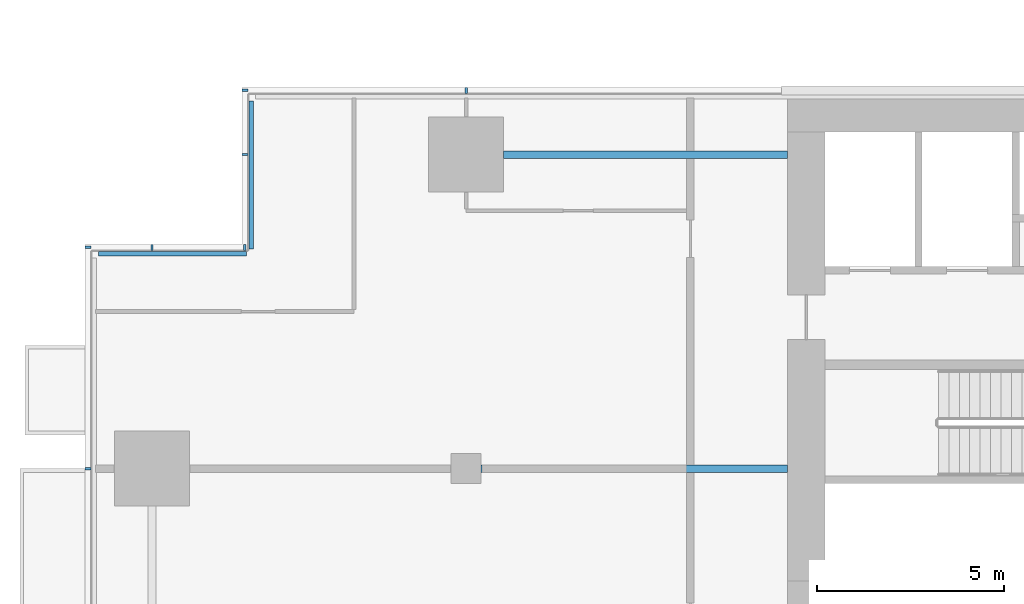
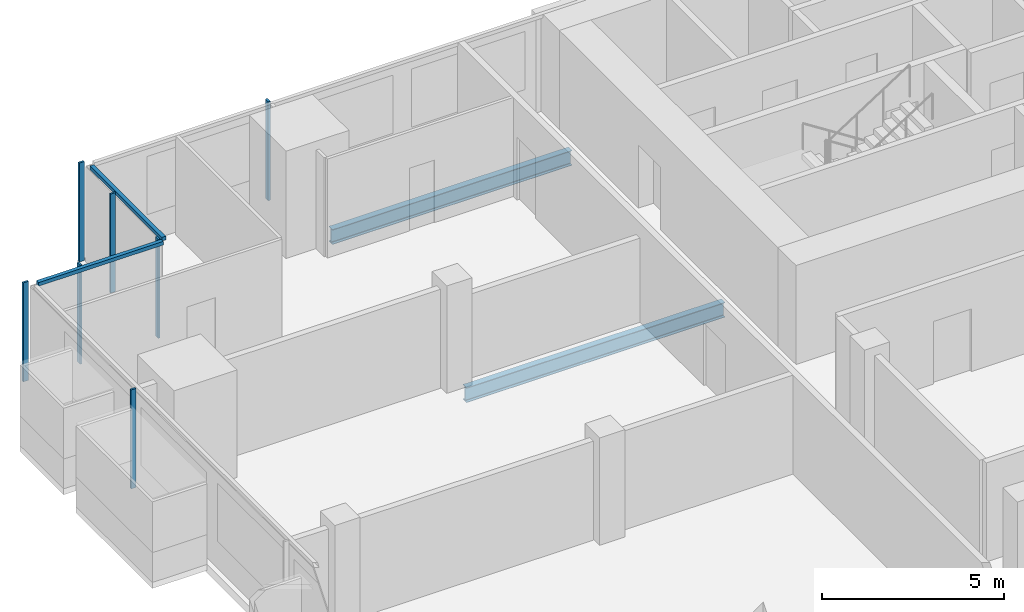
# One storey, part 8 of 26: 9 members, 2 beams, 4 elements without a shape of their own.
"""IFC4 building model written with IfcOpenShell, lengths in metres."""

from ifc_helpers import new_model, si_unit, direction, frame, origin, origin_2d, place, context, subcontext, project, spatial, rectangle, i_section, extrude, material, material_profile, profile_set, type_object, element, aggregate, save


model = new_model("IFC4")

# Units and contexts
model_context = context("Model", 3, precision=1e-05, world=origin(), true_north=direction((0.0, 1.0)))
body_context = subcontext(model_context, "Body", "Model", "MODEL_VIEW")
ifc_project = project(units=[si_unit("LENGTHUNIT", "METRE"), si_unit("AREAUNIT", "SQUARE_METRE"), si_unit("VOLUMEUNIT", "CUBIC_METRE"), si_unit("PLANEANGLEUNIT", "RADIAN"), si_unit("MASSUNIT", "GRAM", prefix="KILO")], contexts=[model_context])

# Site, building, storey
site_placement = place(None, origin())
site = spatial("IfcSite", under=ifc_project, at=site_placement, CompositionType="ELEMENT")
building_placement = place(site_placement, origin())
building = spatial("IfcBuilding", under=site, at=building_placement, Name="Saffron Gate Tower", CompositionType="ELEMENT")
storey_placement = place(building_placement, frame((0.0, 0.0, 98.85009765625)))
storey = spatial("IfcBuildingStorey", under=building, at=storey_placement, Name="L22", CompositionType="ELEMENT", Elevation=98.85009765625)

# Beams
ifc_material_1 = material(Name="Structural steel S355", Category="steel")
ifc_material_profile_1 = material_profile(ifc_material_1, i_section(OverallWidth=0.199951171875, OverallDepth=0.5, WebThickness=0.01025390625, FlangeThickness=0.01611328125, FilletRadius=0.02099609375, at=origin_2d()))
ifc_profile_set_1 = profile_set([ifc_material_profile_1], Name="Structural steel S355")
beam_type = type_object("IfcBeamType", Name="B10 IPE 500", PredefinedType="BEAM", material=ifc_profile_set_1)
beam_1_placement = place(storey_placement, frame((58.60009765625, 65.39990234375, -0.530029296875), z_axis=(1.0, 0.0, 0.0), x_axis=(0.0, 1.0, 0.0)))
element("IfcBeam", 1, at=beam_1_placement, inside=storey, type_object=beam_type, Name="B10 CORE TIE BEAM", PredefinedType="BEAM", context=body_context, shape_type="SweptSolid", body=[
    extrude(i_section(OverallWidth=0.199951171875, OverallDepth=0.5, WebThickness=0.01025390625, FlangeThickness=0.01611328125, FilletRadius=0.02099609375, at=origin_2d()), origin(), (0.0, 0.0, 1.0), 8.199951171875),
])
beam_2_placement = place(storey_placement, frame((59.199951171875, 73.800048828125, -0.530029296875), z_axis=(1.0, 0.0, 0.0), x_axis=(0.0, 1.0, 0.0)))
element("IfcBeam", 2, at=beam_2_placement, inside=storey, type_object=beam_type, Name="B10 CORE TIE BEAM", PredefinedType="BEAM", context=body_context, shape_type="SweptSolid", body=[
    extrude(i_section(OverallWidth=0.199951171875, OverallDepth=0.5, WebThickness=0.01025390625, FlangeThickness=0.01611328125, FilletRadius=0.02099609375, at=origin_2d()), origin(), (0.0, 0.0, 1.0), 7.60009765625),
])

# Curtain wall, members
ifc_material_2 = material(Name="Aluminium, bronze anodised", Category="aluminium")
curtain_wall_type_1 = type_object("IfcCurtainWallType", Name="CWS2 curtain wall side facades", PredefinedType="NOTDEFINED", material=ifc_material_2)
curtain_wall_1_placement = place(storey_placement, origin())
curtain_wall_1 = element("IfcCurtainWall", 3, at=curtain_wall_1_placement, inside=storey, type_object=curtain_wall_type_1, Name="CWS2 run 10", PredefinedType="NOTDEFINED")
ifc_material_profile_2 = material_profile(ifc_material_2, rectangle(XDim=0.159912109375, YDim=0.06005859375, at=origin_2d()))
ifc_profile_set_2 = profile_set([ifc_material_profile_2], Name="Aluminium, bronze anodised")
member_type_1 = type_object("IfcMemberType", Name="CWS2 mullion 60x160", PredefinedType="MULLION", material=ifc_profile_set_2)
member_1_placement = place(storey_placement, frame((48.080078125, 71.320068359375, 0.0), z_axis=(0.0, 0.0, 1.0), x_axis=(1.0, 0.0, 0.0)))
member_1 = element("IfcMember", 4, at=member_1_placement, type_object=member_type_1, Name="CWS2 mullion 1", PredefinedType="MULLION", context=body_context, shape_type="SweptSolid", body=[
    extrude(rectangle(XDim=0.159912109375, YDim=0.06005859375, at=origin_2d()), origin(), (0.0, 0.0, 1.0), 3.31982421875),
])
member_2_placement = place(storey_placement, frame((48.080078125, 65.39990234375, 0.0), z_axis=(0.0, 0.0, 1.0), x_axis=(1.0, 0.0, 0.0)))
member_2 = element("IfcMember", 5, at=member_2_placement, type_object=member_type_1, Name="CWS2 mullion 2", PredefinedType="MULLION", context=body_context, shape_type="SweptSolid", body=[
    extrude(rectangle(XDim=0.159912109375, YDim=0.06005859375, at=origin_2d()), origin(), (0.0, 0.0, 1.0), 3.31982421875),
])
aggregate(curtain_wall_1, [member_1, member_2])

# Curtain wall, member
curtain_wall_type_2 = type_object("IfcCurtainWallType", Name="CWS3 curtain wall rear facade", PredefinedType="NOTDEFINED", material=ifc_material_2)
curtain_wall_2_placement = place(storey_placement, origin())
curtain_wall_2 = element("IfcCurtainWall", 6, at=curtain_wall_2_placement, inside=storey, type_object=curtain_wall_type_2, Name="CWS3 run 7", PredefinedType="NOTDEFINED")
ifc_material_profile_3 = material_profile(ifc_material_2, rectangle(XDim=0.159912109375, YDim=0.070068359375, at=origin_2d()))
ifc_profile_set_3 = profile_set([ifc_material_profile_3], Name="Aluminium, bronze anodised")
member_type_2 = type_object("IfcMemberType", Name="CWS3 mullion 70x160", PredefinedType="MULLION", material=ifc_profile_set_3)
member_3_placement = place(storey_placement, frame((58.199951171875, 75.52001953125, 0.0), z_axis=(0.0, 0.0, 1.0), x_axis=(0.0, -1.0, 0.0)))
member_3 = element("IfcMember", 7, at=member_3_placement, type_object=member_type_2, Name="CWS3 mullion 9", PredefinedType="MULLION", context=body_context, shape_type="SweptSolid", body=[
    extrude(rectangle(XDim=0.159912109375, YDim=0.070068359375, at=origin_2d()), origin(), (0.0, 0.0, 1.0), 3.31982421875),
])
aggregate(curtain_wall_2, [member_3])

curtain_wall_type_3 = type_object("IfcCurtainWallType", Name="CWS4 curtain wall corner returns", PredefinedType="NOTDEFINED", material=ifc_material_2)
curtain_wall_3_placement = place(storey_placement, origin())
curtain_wall_3 = element("IfcCurtainWall", 8, at=curtain_wall_3_placement, inside=storey, type_object=curtain_wall_type_3, Name="CWS4 run 8", PredefinedType="NOTDEFINED")
ifc_material_profile_4 = material_profile(ifc_material_2, rectangle(XDim=0.1201171875, YDim=0.1201171875, at=origin_2d()))
ifc_profile_set_4 = profile_set([ifc_material_profile_4], Name="Aluminium, bronze anodised")
member_type_3 = type_object("IfcMemberType", Name="CWS4 head transom", PredefinedType="USERDEFINED", material=ifc_profile_set_4)
member_4_placement = place(storey_placement, frame((52.447998046875, 75.23193359375, 3.260009765625), z_axis=(0.0, -1.0, 0.0), x_axis=(1.0, 0.0, 0.0)))
member_4 = element("IfcMember", 9, at=member_4_placement, type_object=member_type_3, Name="CWS4 head transom", ObjectType="TRANSOM", PredefinedType="USERDEFINED", context=body_context, shape_type="SweptSolid", body=[
    extrude(rectangle(XDim=0.1201171875, YDim=0.1201171875, at=origin_2d()), origin(), (0.0, 0.0, 1.0), 3.9599609375),
])

curtain_wall_4_placement = place(storey_placement, origin())
curtain_wall_4 = element("IfcCurtainWall", 10, at=curtain_wall_4_placement, inside=storey, type_object=curtain_wall_type_3, Name="CWS4 run 9", PredefinedType="NOTDEFINED")
member_5_placement = place(storey_placement, frame((52.327880859375, 71.152099609375, 3.260009765625), z_axis=(-1.0, 0.0, 0.0), x_axis=(0.0, -1.0, 0.0)))
member_5 = element("IfcMember", 11, at=member_5_placement, type_object=member_type_3, Name="CWS4 head transom", ObjectType="TRANSOM", PredefinedType="USERDEFINED", context=body_context, shape_type="SweptSolid", body=[
    extrude(rectangle(XDim=0.1201171875, YDim=0.1201171875, at=origin_2d()), origin(), (0.0, 0.0, 1.0), 3.9599609375),
])

# Member
ifc_material_profile_5 = material_profile(ifc_material_2, rectangle(XDim=0.159912109375, YDim=0.06005859375, at=origin_2d()))
ifc_profile_set_5 = profile_set([ifc_material_profile_5], Name="Aluminium, bronze anodised")
member_type_4 = type_object("IfcMemberType", Name="CWS4 mullion 60x160", PredefinedType="MULLION", material=ifc_profile_set_5)
member_6_placement = place(storey_placement, frame((52.280029296875, 75.52001953125, 0.0), z_axis=(0.0, 0.0, 1.0), x_axis=(1.0, 0.0, 0.0)))
member_6 = element("IfcMember", 12, at=member_6_placement, type_object=member_type_4, Name="CWS4 mullion 1", PredefinedType="MULLION", context=body_context, shape_type="SweptSolid", body=[
    extrude(rectangle(XDim=0.159912109375, YDim=0.06005859375, at=origin_2d()), origin(), (0.0, 0.0, 1.0), 3.31982421875),
])

member_7_placement = place(storey_placement, frame((52.280029296875, 73.800048828125, 0.0), z_axis=(0.0, 0.0, 1.0), x_axis=(1.0, 0.0, 0.0)))
member_7 = element("IfcMember", 13, at=member_7_placement, type_object=member_type_4, Name="CWS4 mullion 2", PredefinedType="MULLION", context=body_context, shape_type="SweptSolid", body=[
    extrude(rectangle(XDim=0.159912109375, YDim=0.06005859375, at=origin_2d()), origin(), (0.0, 0.0, 1.0), 3.31982421875),
])

aggregate(curtain_wall_3, [member_6, member_7, member_4])

member_8_placement = place(storey_placement, frame((52.280029296875, 71.320068359375, 0.0), z_axis=(0.0, 0.0, 1.0), x_axis=(0.0, -1.0, 0.0)))
member_8 = element("IfcMember", 14, at=member_8_placement, type_object=member_type_4, Name="CWS4 mullion 1", PredefinedType="MULLION", context=body_context, shape_type="SweptSolid", body=[
    extrude(rectangle(XDim=0.159912109375, YDim=0.06005859375, at=origin_2d()), origin(), (0.0, 0.0, 1.0), 3.31982421875),
])

member_9_placement = place(storey_placement, frame((49.800048828125, 71.320068359375, 0.0), z_axis=(0.0, 0.0, 1.0), x_axis=(0.0, -1.0, 0.0)))
member_9 = element("IfcMember", 15, at=member_9_placement, type_object=member_type_4, Name="CWS4 mullion 2", PredefinedType="MULLION", context=body_context, shape_type="SweptSolid", body=[
    extrude(rectangle(XDim=0.159912109375, YDim=0.06005859375, at=origin_2d()), origin(), (0.0, 0.0, 1.0), 3.31982421875),
])

aggregate(curtain_wall_4, [member_8, member_9, member_5])

save(model, "model.ifc")
